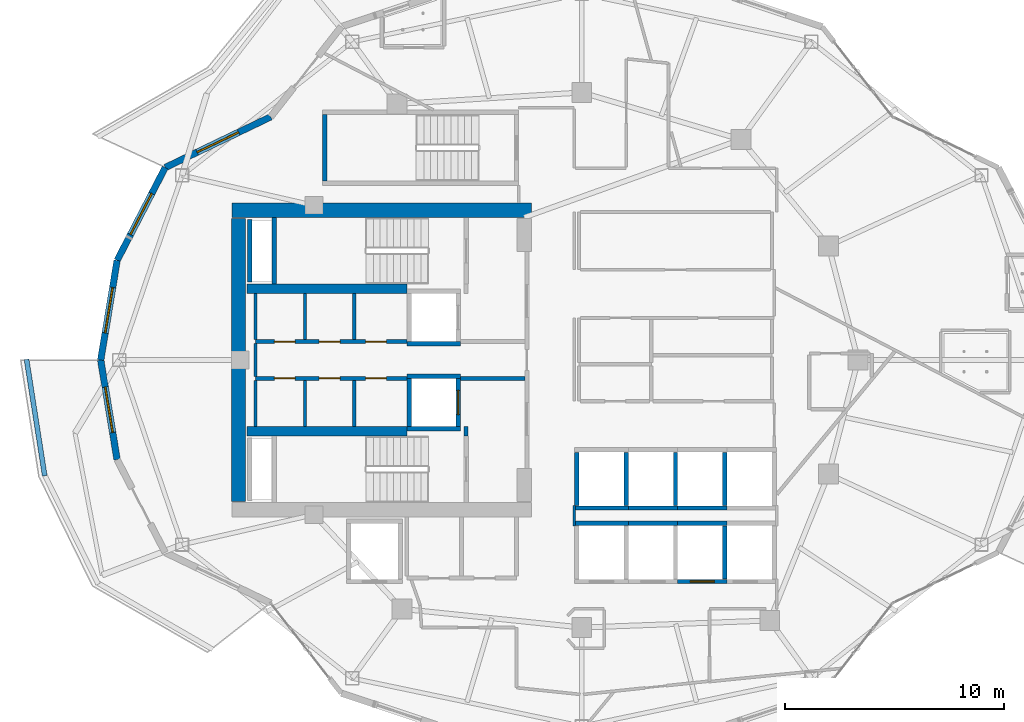
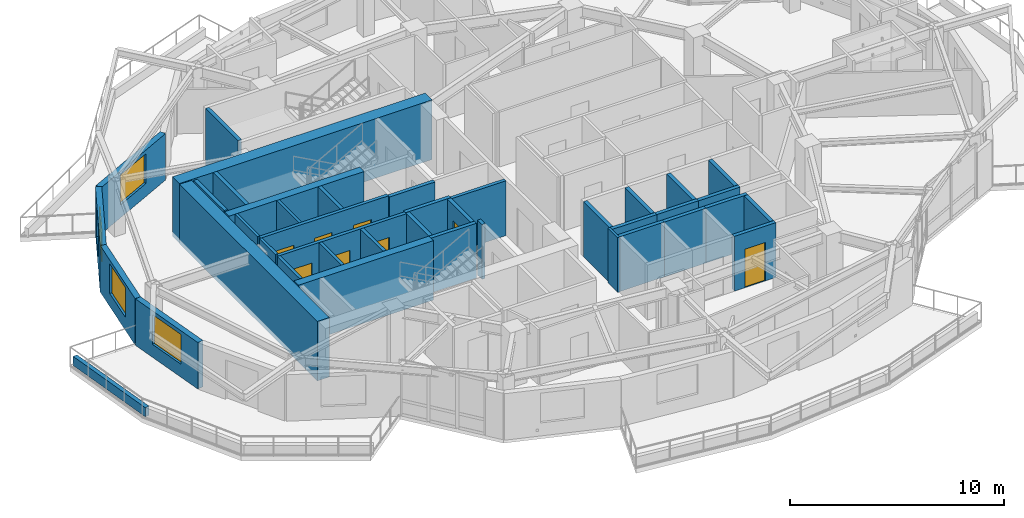
# One storey, part 9 of 19: 41 walls, 8 doors, 4 windows, 12 openings.
"""IFC4 building model written with IfcOpenShell, lengths in metres."""

from ifc_helpers import new_model, si_unit, direction, frame, frame_2d, origin, place, context, subcontext, project, spatial, rectangle, extrude, material, layer, layer_set, type_object, element, fill, save


model = new_model("IFC4")

# Units and contexts
model_context = context("Model", 3, precision=1e-05, world=origin(), true_north=direction((0.0, 1.0)))
body_context = subcontext(model_context, "Body", "Model", "MODEL_VIEW")
ifc_project = project(units=[si_unit("LENGTHUNIT", "METRE"), si_unit("AREAUNIT", "SQUARE_METRE"), si_unit("VOLUMEUNIT", "CUBIC_METRE"), si_unit("PLANEANGLEUNIT", "RADIAN"), si_unit("MASSUNIT", "GRAM", prefix="KILO")], contexts=[model_context])

# Site, building, storey
site_placement = place(None, origin())
site = spatial("IfcSite", under=ifc_project, at=site_placement, CompositionType="ELEMENT")
building_placement = place(site_placement, origin())
building = spatial("IfcBuilding", under=site, at=building_placement, Name="Kolvaren Gate Tower and Convention Centre", CompositionType="ELEMENT")
storey_placement = place(building_placement, frame((0.0, 0.0, 169.89990234375)))
storey = spatial("IfcBuildingStorey", under=building, at=storey_placement, Name="L44", CompositionType="ELEMENT", Elevation=169.89990234375)

# Wall
ifc_material_1 = material(Name="Autoclaved Aerated Masonry Blockwork Class 4 (4.0 MPa)", Category="masonry")
ifc_layer_1 = layer(ifc_material_1, 0.179931640625)
ifc_layer_set_1 = layer_set([ifc_layer_1], Name="Autoclaved Aerated Masonry Blockwork Class 4 (4.0 MPa)")
wall_type_1 = type_object("IfcWallType", Name="ARCH-WL-COMP-180", PredefinedType="SOLIDWALL", material=ifc_layer_set_1)
wall_1_placement = place(storey_placement, frame((24.85009765625, 23.5400390625, 0.0), z_axis=(0.0, 0.0, 1.0), x_axis=(0.0, 1.0, 0.0)))
element("IfcWall", 1, at=wall_1_placement, inside=storey, type_object=wall_type_1, Name="Interior Partition WL-L44-INT-001", PredefinedType="SOLIDWALL", context=body_context, shape_type="SweptSolid", body=[
    extrude(rectangle(XDim=0.419921875, YDim=0.179931640625, at=frame_2d((0.2099609375, 0.0))), origin(), (0.0, 0.0, 1.0), 3.130126953125),
])

# Wall, openings, doors
wall_2_placement = place(storey_placement, frame((15.25, 27.840087890625, 0.0), z_axis=(0.0, 0.0, 1.0), x_axis=(1.0, 0.0, 0.0)))
wall_2 = element("IfcWall", 2, at=wall_2_placement, inside=storey, type_object=wall_type_1, Name="Interior Partition WL-L44-INT-004", PredefinedType="SOLIDWALL", context=body_context, shape_type="SweptSolid", body=[
    extrude(rectangle(XDim=6.89990234375, YDim=0.179931640625, at=frame_2d((3.449951171875, 0.0))), origin(), (0.0, 0.0, 1.0), 3.130126953125),
])
opening_1_placement = place(wall_2_placement, frame((5.02001953125, 0.0, 0.0)))
opening_1 = element("IfcOpeningElement", 3, at=opening_1_placement, cuts=wall_2, Name="Opening DR-01", PredefinedType="OPENING", context=body_context, shape_type="SweptSolid", body=[
    extrude(rectangle(XDim=0.949951171875, YDim=2.10009765625, at=frame_2d((0.47509765625, 1.050048828125))), frame((0.0, 0.099853515625, 0.0), z_axis=(0.0, -1.0, 0.0), x_axis=(1.0, 0.0, 0.0)), (0.0, 0.0, 1.0), 0.199951171875),
])
opening_2_placement = place(wall_2_placement, frame((0.85498046875, 0.0, 0.0)))
opening_2 = element("IfcOpeningElement", 4, at=opening_2_placement, cuts=wall_2, Name="Opening DR-01", PredefinedType="OPENING", context=body_context, shape_type="SweptSolid", body=[
    extrude(rectangle(XDim=0.949951171875, YDim=2.10009765625, at=frame_2d((0.47509765625, 1.050048828125))), frame((0.0, 0.099853515625, 0.0), z_axis=(0.0, -1.0, 0.0), x_axis=(1.0, 0.0, 0.0)), (0.0, 0.0, 1.0), 0.199951171875),
])
opening_3_placement = place(wall_2_placement, frame((2.89990234375, 0.0, 0.0)))
opening_3 = element("IfcOpeningElement", 5, at=opening_3_placement, cuts=wall_2, Name="Opening DR-01", PredefinedType="OPENING", context=body_context, shape_type="SweptSolid", body=[
    extrude(rectangle(XDim=0.949951171875, YDim=2.10009765625, at=frame_2d((0.47509765625, 1.050048828125))), frame((0.0, 0.099853515625, 0.0), z_axis=(0.0, -1.0, 0.0), x_axis=(1.0, 0.0, 0.0)), (0.0, 0.0, 1.0), 0.199951171875),
])
ifc_material_2 = material(Name="Painted Architectural Steelwork ASTM A500 Grade C 345 MPa", Category="steel")
door_type_1 = type_object("IfcDoorType", Name="ARCH-DR-RISER-950", OperationType="SINGLE_SWING_RIGHT", PredefinedType="DOOR", material=ifc_material_2)
door_1_placement = place(opening_1_placement, origin())
door_1 = element("IfcDoor", 6, at=door_1_placement, inside=storey, type_object=door_type_1, Name="Electrical Switchgear Closet Door", OperationType="SINGLE_SWING_RIGHT", OverallHeight=2.10009765625, OverallWidth=0.949951171875, PredefinedType="DOOR", context=body_context, shape_type="SweptSolid", body=[
    extrude(rectangle(XDim=0.949951171875, YDim=2.10009765625, at=frame_2d((0.47509765625, 1.050048828125))), frame((0.0, 0.02490234375, 0.0), z_axis=(0.0, -1.0, 0.0), x_axis=(1.0, 0.0, 0.0)), (0.0, 0.0, 1.0), 0.050048828125),
])
fill(opening_1, door_1)
door_2_placement = place(opening_2_placement, origin())
door_2 = element("IfcDoor", 7, at=door_2_placement, inside=storey, type_object=door_type_1, Name="Staff Accessible WC Door", OperationType="SINGLE_SWING_RIGHT", OverallHeight=2.10009765625, OverallWidth=0.949951171875, PredefinedType="DOOR", context=body_context, shape_type="SweptSolid", body=[
    extrude(rectangle(XDim=0.949951171875, YDim=2.10009765625, at=frame_2d((0.47509765625, 1.050048828125))), frame((0.0, 0.02490234375, 0.0), z_axis=(0.0, -1.0, 0.0), x_axis=(1.0, 0.0, 0.0)), (0.0, 0.0, 1.0), 0.050048828125),
])
fill(opening_2, door_2)
door_3_placement = place(opening_3_placement, origin())
door_3 = element("IfcDoor", 8, at=door_3_placement, inside=storey, type_object=door_type_1, Name="Housekeeping Sink Closet Door", OperationType="SINGLE_SWING_LEFT", OverallHeight=2.10009765625, OverallWidth=0.949951171875, PredefinedType="DOOR", context=body_context, shape_type="SweptSolid", body=[
    extrude(rectangle(XDim=0.949951171875, YDim=2.10009765625, at=frame_2d((0.47509765625, 1.050048828125))), frame((0.0, 0.02490234375, 0.0), z_axis=(0.0, -1.0, 0.0), x_axis=(1.0, 0.0, 0.0)), (0.0, 0.0, 1.0), 0.050048828125),
])
fill(opening_3, door_3)

wall_3_placement = place(storey_placement, frame((15.25, 26.159912109375, 0.0), z_axis=(0.0, 0.0, 1.0), x_axis=(1.0, 0.0, 0.0)))
wall_3 = element("IfcWall", 9, at=wall_3_placement, inside=storey, type_object=wall_type_1, Name="Interior Partition WL-L44-INT-005", PredefinedType="SOLIDWALL", context=body_context, shape_type="SweptSolid", body=[
    extrude(rectangle(XDim=6.89990234375, YDim=0.179931640625, at=frame_2d((3.449951171875, 0.0))), origin(), (0.0, 0.0, 1.0), 3.130126953125),
])
opening_4_placement = place(wall_3_placement, frame((5.02001953125, 0.0, 0.0)))
opening_4 = element("IfcOpeningElement", 10, at=opening_4_placement, cuts=wall_3, Name="Opening DR-01", PredefinedType="OPENING", context=body_context, shape_type="SweptSolid", body=[
    extrude(rectangle(XDim=0.949951171875, YDim=2.10009765625, at=frame_2d((0.47509765625, 1.050048828125))), frame((0.0, 0.099853515625, 0.0), z_axis=(0.0, -1.0, 0.0), x_axis=(1.0, 0.0, 0.0)), (0.0, 0.0, 1.0), 0.199951171875),
])
opening_5_placement = place(wall_3_placement, frame((0.85498046875, 0.0, 0.0)))
opening_5 = element("IfcOpeningElement", 11, at=opening_5_placement, cuts=wall_3, Name="Opening DR-01", PredefinedType="OPENING", context=body_context, shape_type="SweptSolid", body=[
    extrude(rectangle(XDim=0.949951171875, YDim=2.10009765625, at=frame_2d((0.47509765625, 1.050048828125))), frame((0.0, 0.099853515625, 0.0), z_axis=(0.0, -1.0, 0.0), x_axis=(1.0, 0.0, 0.0)), (0.0, 0.0, 1.0), 0.199951171875),
])
opening_6_placement = place(wall_3_placement, frame((2.89990234375, 0.0, 0.0)))
opening_6 = element("IfcOpeningElement", 12, at=opening_6_placement, cuts=wall_3, Name="Opening DR-01", PredefinedType="OPENING", context=body_context, shape_type="SweptSolid", body=[
    extrude(rectangle(XDim=0.949951171875, YDim=2.10009765625, at=frame_2d((0.47509765625, 1.050048828125))), frame((0.0, 0.099853515625, 0.0), z_axis=(0.0, -1.0, 0.0), x_axis=(1.0, 0.0, 0.0)), (0.0, 0.0, 1.0), 0.199951171875),
])
door_4_placement = place(opening_4_placement, origin())
door_4 = element("IfcDoor", 13, at=door_4_placement, inside=storey, type_object=door_type_1, Name="Domestic Water Meter Closet Door", OperationType="SINGLE_SWING_LEFT", OverallHeight=2.10009765625, OverallWidth=0.949951171875, PredefinedType="DOOR", context=body_context, shape_type="SweptSolid", body=[
    extrude(rectangle(XDim=0.949951171875, YDim=2.10009765625, at=frame_2d((0.47509765625, 1.050048828125))), frame((0.0, 0.02490234375, 0.0), z_axis=(0.0, -1.0, 0.0), x_axis=(1.0, 0.0, 0.0)), (0.0, 0.0, 1.0), 0.050048828125),
])
fill(opening_4, door_4)
door_5_placement = place(opening_5_placement, origin())
door_5 = element("IfcDoor", 14, at=door_5_placement, inside=storey, type_object=door_type_1, Name="Beverage Service Pantry Door", OperationType="SINGLE_SWING_RIGHT", OverallHeight=2.10009765625, OverallWidth=0.949951171875, PredefinedType="DOOR", context=body_context, shape_type="SweptSolid", body=[
    extrude(rectangle(XDim=0.949951171875, YDim=2.10009765625, at=frame_2d((0.47509765625, 1.050048828125))), frame((0.0, 0.02490234375, 0.0), z_axis=(0.0, -1.0, 0.0), x_axis=(1.0, 0.0, 0.0)), (0.0, 0.0, 1.0), 0.050048828125),
])
fill(opening_5, door_5)
door_6_placement = place(opening_6_placement, origin())
door_6 = element("IfcDoor", 15, at=door_6_placement, inside=storey, type_object=door_type_1, Name="Archive Supply Closet Door", OperationType="SINGLE_SWING_LEFT", OverallHeight=2.10009765625, OverallWidth=0.949951171875, PredefinedType="DOOR", context=body_context, shape_type="SweptSolid", body=[
    extrude(rectangle(XDim=0.949951171875, YDim=2.10009765625, at=frame_2d((0.47509765625, 1.050048828125))), frame((0.0, 0.02490234375, 0.0), z_axis=(0.0, -1.0, 0.0), x_axis=(1.0, 0.0, 0.0)), (0.0, 0.0, 1.0), 0.050048828125),
])
fill(opening_6, door_6)

# Walls
wall_4_placement = place(storey_placement, frame((24.60009765625, 26.159912109375, 0.0), z_axis=(0.0, 0.0, 1.0), x_axis=(1.0, 0.0, 0.0)))
element("IfcWall", 16, at=wall_4_placement, inside=storey, type_object=wall_type_1, Name="Interior Partition WL-L44-INT-005 (2)", PredefinedType="SOLIDWALL", context=body_context, shape_type="SweptSolid", body=[
    extrude(rectangle(XDim=2.927978515625, YDim=0.179931640625, at=frame_2d((1.4638671875, 0.0))), origin(), (0.0, 0.0, 1.0), 3.130126953125),
])
for number, where, z_axis, x_axis, name in (
    (17, (19.75, 23.9619140625, 0.0), (0.0, 0.0, 1.0), (0.0, 1.0, 0.0), "Interior Partition WL-L44-INT-007"),
    (18, (19.75, 27.931884765625, 0.0), (0.0, 0.0, 1.0), (0.0, 1.0, 0.0), "Interior Partition WL-L44-INT-008"),
):
    element("IfcWall", number, at=place(storey_placement, frame(where, z_axis=z_axis, x_axis=x_axis)), inside=storey, type_object=wall_type_1, Name=name, PredefinedType="SOLIDWALL", context=body_context, shape_type="SweptSolid", body=[
        extrude(rectangle(XDim=2.106201171875, YDim=0.179931640625, at=frame_2d((1.05322265625, 0.0))), origin(), (0.0, 0.0, 1.0), 3.130126953125),
    ])
ifc_material_3 = material(Name="Fire-Rated Acoustic Gypsum Stud Partition", Category="gypsum")
ifc_layer_2 = layer(ifc_material_3, 0.1201171875)
ifc_layer_set_2 = layer_set([ifc_layer_2], Name="Fire-Rated Acoustic Gypsum Stud Partition")
wall_type_2 = type_object("IfcWallType", Name="ARCH-WL-PART-120", PredefinedType="PARTITIONING", material=ifc_layer_set_2)
wall_5_placement = place(storey_placement, frame((29.780029296875, 19.43994140625, 0.0), z_axis=(0.0, 0.0, 1.0), x_axis=(0.0, 1.0, 0.0)))
element("IfcWall", 19, at=wall_5_placement, inside=storey, type_object=wall_type_2, Name="Interior Partition WL-L44-INT-039", PredefinedType="PARTITIONING", context=body_context, shape_type="SweptSolid", body=[
    extrude(rectangle(XDim=0.920166015625, YDim=0.1201171875, at=frame_2d((0.4599609375, 0.0))), origin(), (0.0, 0.0, 1.0), 3.130126953125),
])
ifc_material_4 = material(Name="Piedmont Cream Honed Limestone Cladding", Category="masonry")
ifc_layer_3 = layer(ifc_material_4, 0.219970703125)
ifc_layer_set_3 = layer_set([ifc_layer_3], Name="Piedmont Cream Honed Limestone Cladding")
wall_type_3 = type_object("IfcWallType", Name="ARCH-WL-PLANTER-220", PredefinedType="PARAPET", material=ifc_layer_set_3)
wall_6_placement = place(storey_placement, frame((4.805908203125, 27.029296875, 0.0), z_axis=(0.0, 0.0, 1.0), x_axis=(0.154245214003, -0.988032597619, 0.0)))
element("IfcWall", 20, at=wall_6_placement, inside=storey, type_object=wall_type_3, Name="Vertical-Forest Balcony Stone Planter Kerb PK-L44-2.1", PredefinedType="PARAPET", context=body_context, shape_type="SweptSolid", body=[
    extrude(rectangle(XDim=5.37353515625, YDim=0.219970703125, at=frame_2d((2.686767578125, 0.0))), origin(), (0.0, 0.0, 1.0), 0.52001953125),
])
ifc_layer_4 = layer(ifc_material_1, 0.199951171875)
ifc_layer_set_4 = layer_set([ifc_layer_4], Name="Autoclaved Aerated Masonry Blockwork Class 4 (4.0 MPa)")
wall_type_4 = type_object("IfcWallType", Name="ARCH-WL-SHAFT-200", PredefinedType="SOLIDWALL", material=ifc_layer_set_4)
for number, where, z_axis, x_axis, name in (
    (21, (22.14990234375, 27.739990234375, 0.0), (0.0, 0.0, 1.0), (1.0, 0.0, 0.0), "Elevator FF-01 L44 Fire Shaft Wall S"),
    (22, (22.14990234375, 26.260009765625, 0.0), (0.0, 0.0, 1.0), (1.0, 0.0, 0.0), "Elevator FF-02 L44 Fire Shaft Wall N"),
    (23, (22.14990234375, 23.860107421875, 0.0), (0.0, 0.0, 1.0), (1.0, 0.0, 0.0), "Elevator FF-02 L44 Fire Shaft Wall S"),
):
    element("IfcWall", number, at=place(storey_placement, frame(where, z_axis=z_axis, x_axis=x_axis)), inside=storey, type_object=wall_type_4, Name=name, PredefinedType="SOLIDWALL", context=body_context, shape_type="SweptSolid", body=[
        extrude(rectangle(XDim=2.4501953125, YDim=0.199951171875, at=frame_2d((1.22509765625, 0.0))), origin(), (0.0, 0.0, 1.0), 3.130126953125),
    ])
wall_7_placement = place(storey_placement, frame((22.25, 23.969970703125, 0.0), z_axis=(0.0, 0.0, 1.0), x_axis=(0.0, 1.0, 0.0)))
element("IfcWall", 24, at=wall_7_placement, inside=storey, type_object=wall_type_4, Name="Elevator FF-02 L44 Fire Shaft Wall W", PredefinedType="SOLIDWALL", context=body_context, shape_type="SweptSolid", body=[
    extrude(rectangle(XDim=2.179931640625, YDim=0.199951171875, at=frame_2d((1.08984375, 0.0))), origin(), (0.0, 0.0, 1.0), 3.130126953125),
])

# Wall, opening, door
wall_8_placement = place(storey_placement, frame((24.5, 23.969970703125, 0.0), z_axis=(0.0, 0.0, 1.0), x_axis=(0.0, 1.0, 0.0)))
wall_8 = element("IfcWall", 25, at=wall_8_placement, inside=storey, type_object=wall_type_4, Name="Elevator FF-02 L44 Fire Shaft Wall E", PredefinedType="SOLIDWALL", context=body_context, shape_type="SweptSolid", body=[
    extrude(rectangle(XDim=2.179931640625, YDim=0.199951171875, at=frame_2d((1.08984375, 0.0))), origin(), (0.0, 0.0, 1.0), 3.130126953125),
])
opening_7_placement = place(wall_8_placement, frame((0.5400390625, 0.0, 0.0)))
opening_7 = element("IfcOpeningElement", 26, at=opening_7_placement, cuts=wall_8, Name="Opening LD", PredefinedType="OPENING", context=body_context, shape_type="SweptSolid", body=[
    extrude(rectangle(XDim=1.10009765625, YDim=2.199951171875, at=frame_2d((0.550048828125, 1.10009765625))), frame((0.0, 0.10986328125, 0.0), z_axis=(0.0, -1.0, 0.0), x_axis=(1.0, 0.0, 0.0)), (0.0, 0.0, 1.0), 0.219970703125),
])
ifc_material_5 = material(Name="Brushed Stainless Steel Grade 316L", Category="steel")
door_type_2 = type_object("IfcDoorType", Name="ARCH-DR-LIFT-1100", OperationType="SLIDING_TO_LEFT", PredefinedType="DOOR", material=ifc_material_5)
door_7_placement = place(opening_7_placement, origin())
door_7 = element("IfcDoor", 27, at=door_7_placement, inside=storey, type_object=door_type_2, Name="Elevator FF-02 L44 Sliding Landing Door", OperationType="SLIDING_TO_LEFT", OverallHeight=2.199951171875, OverallWidth=1.10009765625, PredefinedType="DOOR", context=body_context, shape_type="SweptSolid", body=[
    extrude(rectangle(XDim=1.10009765625, YDim=2.199951171875, at=frame_2d((0.550048828125, 1.10009765625))), frame((0.0, 0.02490234375, 0.0), z_axis=(0.0, -1.0, 0.0), x_axis=(1.0, 0.0, 0.0)), (0.0, 0.0, 1.0), 0.050048828125),
])
fill(opening_7, door_7)

# Walls
wall_9_placement = place(storey_placement, frame((29.800048828125, 19.550048828125, 0.0), z_axis=(0.0, 0.0, 1.0), x_axis=(1.0, 0.0, 0.0)))
element("IfcWall", 28, at=wall_9_placement, inside=storey, type_object=wall_type_4, Name="Elevator PL-05 L44 Fire Shaft Wall N", PredefinedType="SOLIDWALL", context=body_context, shape_type="SweptSolid", body=[
    extrude(rectangle(XDim=2.449951171875, YDim=0.199951171875, at=frame_2d((1.22509765625, 0.0))), origin(), (0.0, 0.0, 1.0), 3.130126953125),
])
for number, where, z_axis, x_axis, name in (
    (29, (32.25, 19.550048828125, 0.0), (0.0, 0.0, 1.0), (1.0, 0.0, 0.0), "Elevator PL-06 L44 Fire Shaft Wall N"),
    (30, (34.5, 19.550048828125, 0.0), (0.0, 0.0, 1.0), (1.0, 0.0, 0.0), "Elevator PL-07 L44 Fire Shaft Wall N"),
):
    element("IfcWall", number, at=place(storey_placement, frame(where, z_axis=z_axis, x_axis=x_axis)), inside=storey, type_object=wall_type_4, Name=name, PredefinedType="SOLIDWALL", context=body_context, shape_type="SweptSolid", body=[
        extrude(rectangle(XDim=2.25, YDim=0.199951171875, at=frame_2d((1.125, 0.0))), origin(), (0.0, 0.0, 1.0), 3.130126953125),
    ])

# Wall, opening, door
wall_10_placement = place(storey_placement, frame((34.5, 16.89990234375, 0.0), z_axis=(0.0, 0.0, 1.0), x_axis=(1.0, 0.0, 0.0)))
wall_10 = element("IfcWall", 31, at=wall_10_placement, inside=storey, type_object=wall_type_4, Name="Elevator PL-07 L44 Fire Shaft Wall S", PredefinedType="SOLIDWALL", context=body_context, shape_type="SweptSolid", body=[
    extrude(rectangle(XDim=2.25, YDim=0.199951171875, at=frame_2d((1.125, 0.0))), origin(), (0.0, 0.0, 1.0), 3.130126953125),
])
opening_8_placement = place(wall_10_placement, frame((0.574951171875, 0.0, 0.0)))
opening_8 = element("IfcOpeningElement", 32, at=opening_8_placement, cuts=wall_10, Name="Opening LD", PredefinedType="OPENING", context=body_context, shape_type="SweptSolid", body=[
    extrude(rectangle(XDim=1.10009765625, YDim=2.199951171875, at=frame_2d((0.550048828125, 1.10009765625))), frame((0.0, 0.10986328125, 0.0), z_axis=(0.0, -1.0, 0.0), x_axis=(1.0, 0.0, 0.0)), (0.0, 0.0, 1.0), 0.219970703125),
])
door_8_placement = place(opening_8_placement, origin())
door_8 = element("IfcDoor", 33, at=door_8_placement, inside=storey, type_object=door_type_2, Name="Elevator PL-07 L44 Sliding Landing Door", OperationType="SLIDING_TO_LEFT", OverallHeight=2.199951171875, OverallWidth=1.10009765625, PredefinedType="DOOR", context=body_context, shape_type="SweptSolid", body=[
    extrude(rectangle(XDim=1.10009765625, YDim=2.199951171875, at=frame_2d((0.550048828125, 1.10009765625))), frame((0.0, 0.02490234375, 0.0), z_axis=(0.0, -1.0, 0.0), x_axis=(1.0, 0.0, 0.0)), (0.0, 0.0, 1.0), 0.050048828125),
])
fill(opening_8, door_8)

# Walls
wall_11_placement = place(storey_placement, frame((36.64990234375, 17.010009765625, 0.0), z_axis=(0.0, 0.0, 1.0), x_axis=(0.0, 1.0, 0.0)))
element("IfcWall", 34, at=wall_11_placement, inside=storey, type_object=wall_type_4, Name="Elevator PL-07 L44 Fire Shaft Wall E", PredefinedType="SOLIDWALL", context=body_context, shape_type="SweptSolid", body=[
    extrude(rectangle(XDim=2.429931640625, YDim=0.199951171875, at=frame_2d((1.21484375, 0.0))), origin(), (0.0, 0.0, 1.0), 3.130126953125),
])
wall_12_placement = place(storey_placement, frame((29.800048828125, 20.25, 0.0), z_axis=(0.0, 0.0, 1.0), x_axis=(1.0, 0.0, 0.0)))
element("IfcWall", 35, at=wall_12_placement, inside=storey, type_object=wall_type_4, Name="Elevator PL-09 L44 Fire Shaft Wall S", PredefinedType="SOLIDWALL", context=body_context, shape_type="SweptSolid", body=[
    extrude(rectangle(XDim=2.449951171875, YDim=0.199951171875, at=frame_2d((1.22509765625, 0.0))), origin(), (0.0, 0.0, 1.0), 3.130126953125),
])
for number, where, z_axis, x_axis, name in (
    (36, (29.89990234375, 20.360107421875, 0.0), (0.0, 0.0, 1.0), (0.0, 1.0, 0.0), "Elevator PL-09 L44 Fire Shaft Wall W"),
    (37, (32.14990234375, 20.360107421875, 0.0), (0.0, 0.0, 1.0), (0.0, 1.0, 0.0), "Elevator PL-09 L44 Fire Shaft Wall E"),
):
    element("IfcWall", number, at=place(storey_placement, frame(where, z_axis=z_axis, x_axis=x_axis)), inside=storey, type_object=wall_type_4, Name=name, PredefinedType="SOLIDWALL", context=body_context, shape_type="SweptSolid", body=[
        extrude(rectangle(XDim=2.429931640625, YDim=0.199951171875, at=frame_2d((1.21484375, 0.0))), origin(), (0.0, 0.0, 1.0), 3.130126953125),
    ])
wall_13_placement = place(storey_placement, frame((32.25, 20.25, 0.0), z_axis=(0.0, 0.0, 1.0), x_axis=(1.0, 0.0, 0.0)))
element("IfcWall", 38, at=wall_13_placement, inside=storey, type_object=wall_type_4, Name="Elevator PL-10 L44 Fire Shaft Wall S", PredefinedType="SOLIDWALL", context=body_context, shape_type="SweptSolid", body=[
    extrude(rectangle(XDim=2.25, YDim=0.199951171875, at=frame_2d((1.125, 0.0))), origin(), (0.0, 0.0, 1.0), 3.130126953125),
])
wall_14_placement = place(storey_placement, frame((34.39990234375, 20.360107421875, 0.0), z_axis=(0.0, 0.0, 1.0), x_axis=(0.0, 1.0, 0.0)))
element("IfcWall", 39, at=wall_14_placement, inside=storey, type_object=wall_type_4, Name="Elevator PL-10 L44 Fire Shaft Wall E", PredefinedType="SOLIDWALL", context=body_context, shape_type="SweptSolid", body=[
    extrude(rectangle(XDim=2.429931640625, YDim=0.199951171875, at=frame_2d((1.21484375, 0.0))), origin(), (0.0, 0.0, 1.0), 3.130126953125),
])
wall_15_placement = place(storey_placement, frame((34.5, 20.25, 0.0), z_axis=(0.0, 0.0, 1.0), x_axis=(1.0, 0.0, 0.0)))
element("IfcWall", 40, at=wall_15_placement, inside=storey, type_object=wall_type_4, Name="Elevator PL-11 L44 Fire Shaft Wall S", PredefinedType="SOLIDWALL", context=body_context, shape_type="SweptSolid", body=[
    extrude(rectangle(XDim=2.25, YDim=0.199951171875, at=frame_2d((1.125, 0.0))), origin(), (0.0, 0.0, 1.0), 3.130126953125),
])
wall_16_placement = place(storey_placement, frame((36.64990234375, 20.360107421875, 0.0), z_axis=(0.0, 0.0, 1.0), x_axis=(0.0, 1.0, 0.0)))
element("IfcWall", 41, at=wall_16_placement, inside=storey, type_object=wall_type_4, Name="Elevator PL-11 L44 Fire Shaft Wall E", PredefinedType="SOLIDWALL", context=body_context, shape_type="SweptSolid", body=[
    extrude(rectangle(XDim=2.429931640625, YDim=0.199951171875, at=frame_2d((1.21484375, 0.0))), origin(), (0.0, 0.0, 1.0), 3.130126953125),
])
wall_17_placement = place(storey_placement, frame((14.989990234375, 30.550048828125, 0.0), z_axis=(0.0, 0.0, 1.0), x_axis=(0.0, 1.0, 0.0)))
element("IfcWall", 42, at=wall_17_placement, inside=storey, type_object=wall_type_4, Name="Vertical Shaft HVR L44 EI-120 Enclosure Wall W", PredefinedType="SOLIDWALL", context=body_context, shape_type="SweptSolid", body=[
    extrude(rectangle(XDim=2.849853515625, YDim=0.199951171875, at=frame_2d((1.4248046875, 0.0))), origin(), (0.0, 0.0, 1.0), 3.130126953125),
])

# Wall, opening, window
ifc_layer_5 = layer(ifc_material_4, 0.300048828125)
ifc_layer_set_5 = layer_set([ifc_layer_5], Name="Piedmont Cream Honed Limestone Cladding")
wall_type_5 = type_object("IfcWallType", Name="ARCH-WL-STONE-300", PredefinedType="SOLIDWALL", material=ifc_layer_set_5)
wall_18_placement = place(storey_placement, frame((11.126708984375, 35.77490234375, 0.0), z_axis=(0.0, 0.0, 1.0), x_axis=(0.901353070301, 0.433085029363, 0.0)))
wall_18 = element("IfcWall", 43, at=wall_18_placement, inside=storey, type_object=wall_type_5, Name="Tower L44 Honed Stone Spandrel Wall EW-09", PredefinedType="SOLIDWALL", context=body_context, shape_type="SweptSolid", body=[
    extrude(rectangle(XDim=5.336181640625, YDim=0.300048828125, at=frame_2d((2.66796875, 0.0))), origin(), (0.0, 0.0, 1.0), 2.653076171875),
])
opening_9_placement = place(wall_18_placement, frame((1.617919921875, 0.0, 0.739990234375)))
opening_9 = element("IfcOpeningElement", 44, at=opening_9_placement, cuts=wall_18, Name="Opening W-02", PredefinedType="OPENING", context=body_context, shape_type="SweptSolid", body=[
    extrude(rectangle(XDim=2.10009765625, YDim=1.699951171875, at=frame_2d((1.050048828125, 0.85009765625))), frame((0.0, 0.159912109375, 0.0), z_axis=(0.0, -1.0, 0.0), x_axis=(1.0, 0.0, 0.0)), (0.0, 0.0, 1.0), 0.320068359375),
])
ifc_material_6 = material(Name="Low-E Triple Insulated Glazing Unit 44 mm", Category="glass")
window_type = type_object("IfcWindowType", Name="ARCH-WN-HTL-2100", PartitioningType="SINGLE_PANEL", PredefinedType="WINDOW", material=ifc_material_6)
window_1_placement = place(opening_9_placement, origin())
window_1 = element("IfcWindow", 45, at=window_1_placement, inside=storey, type_object=window_type, Name="Tower L44 Punched Stone Facade Window W-09", OverallHeight=1.699951171875, OverallWidth=2.10009765625, PartitioningType="SINGLE_PANEL", PredefinedType="WINDOW", context=body_context, shape_type="SweptSolid", body=[
    extrude(rectangle(XDim=2.10009765625, YDim=1.699951171875, at=frame_2d((1.050048828125, 0.85009765625))), frame((0.0, 0.030029296875, 0.0), z_axis=(0.0, -1.0, 0.0), x_axis=(1.0, 0.0, 0.0)), (0.0, 0.0, 1.0), 0.06005859375),
])
fill(opening_9, window_1)

wall_19_placement = place(storey_placement, frame((8.93505859375, 31.542236328125, 0.0), z_axis=(0.0, 0.0, 1.0), x_axis=(0.459810251451, 0.888017191647, 0.0)))
wall_19 = element("IfcWall", 46, at=wall_19_placement, inside=storey, type_object=wall_type_5, Name="Tower L44 Honed Stone Spandrel Wall EW-10", PredefinedType="SOLIDWALL", context=body_context, shape_type="SweptSolid", body=[
    extrude(rectangle(XDim=4.766357421875, YDim=0.300048828125, at=frame_2d((2.38330078125, 0.0))), origin(), (0.0, 0.0, 1.0), 2.653076171875),
])
opening_10_placement = place(wall_19_placement, frame((1.3330078125, 0.0, 0.739990234375)))
opening_10 = element("IfcOpeningElement", 47, at=opening_10_placement, cuts=wall_19, Name="Opening W-02", PredefinedType="OPENING", context=body_context, shape_type="SweptSolid", body=[
    extrude(rectangle(XDim=2.10009765625, YDim=1.699951171875, at=frame_2d((1.050048828125, 0.85009765625))), frame((0.0, 0.159912109375, 0.0), z_axis=(0.0, -1.0, 0.0), x_axis=(1.0, 0.0, 0.0)), (0.0, 0.0, 1.0), 0.320068359375),
])
window_2_placement = place(opening_10_placement, origin())
window_2 = element("IfcWindow", 48, at=window_2_placement, inside=storey, type_object=window_type, Name="Tower L44 Punched Stone Facade Window W-10", OverallHeight=1.699951171875, OverallWidth=2.10009765625, PartitioningType="SINGLE_PANEL", PredefinedType="WINDOW", context=body_context, shape_type="SweptSolid", body=[
    extrude(rectangle(XDim=2.10009765625, YDim=1.699951171875, at=frame_2d((1.050048828125, 0.85009765625))), frame((0.0, 0.030029296875, 0.0), z_axis=(0.0, -1.0, 0.0), x_axis=(1.0, 0.0, 0.0)), (0.0, 0.0, 1.0), 0.06005859375),
])
fill(opening_10, window_2)

wall_20_placement = place(storey_placement, frame((8.1875, 27.0, 0.0), z_axis=(0.0, 0.0, 1.0), x_axis=(0.162394765401, 0.986725868806, 0.0)))
wall_20 = element("IfcWall", 49, at=wall_20_placement, inside=storey, type_object=wall_type_5, Name="Tower L44 Honed Stone Spandrel Wall EW-11", PredefinedType="SOLIDWALL", context=body_context, shape_type="SweptSolid", body=[
    extrude(rectangle(XDim=4.603271484375, YDim=0.300048828125, at=frame_2d((2.3017578125, 0.0))), origin(), (0.0, 0.0, 1.0), 2.653076171875),
])
opening_11_placement = place(wall_20_placement, frame((1.251953125, 0.0, 0.739990234375)))
opening_11 = element("IfcOpeningElement", 50, at=opening_11_placement, cuts=wall_20, Name="Opening W-02", PredefinedType="OPENING", context=body_context, shape_type="SweptSolid", body=[
    extrude(rectangle(XDim=2.10009765625, YDim=1.699951171875, at=frame_2d((1.050048828125, 0.85009765625))), frame((0.0, 0.159912109375, 0.0), z_axis=(0.0, -1.0, 0.0), x_axis=(1.0, 0.0, 0.0)), (0.0, 0.0, 1.0), 0.320068359375),
])
window_3_placement = place(opening_11_placement, origin())
window_3 = element("IfcWindow", 51, at=window_3_placement, inside=storey, type_object=window_type, Name="Tower L44 Punched Stone Facade Window W-11", OverallHeight=1.699951171875, OverallWidth=2.10009765625, PartitioningType="SINGLE_PANEL", PredefinedType="WINDOW", context=body_context, shape_type="SweptSolid", body=[
    extrude(rectangle(XDim=2.10009765625, YDim=1.699951171875, at=frame_2d((1.050048828125, 0.85009765625))), frame((0.0, 0.030029296875, 0.0), z_axis=(0.0, -1.0, 0.0), x_axis=(1.0, 0.0, 0.0)), (0.0, 0.0, 1.0), 0.06005859375),
])
fill(opening_11, window_3)

wall_21_placement = place(storey_placement, frame((8.1875, 27.0, 0.0), z_axis=(0.0, 0.0, 1.0), x_axis=(0.162394765401, -0.986725868806, 0.0)))
wall_21 = element("IfcWall", 52, at=wall_21_placement, inside=storey, type_object=wall_type_5, Name="Tower L44 Honed Stone Spandrel Wall EW-12", PredefinedType="SOLIDWALL", context=body_context, shape_type="SweptSolid", body=[
    extrude(rectangle(XDim=4.603271484375, YDim=0.300048828125, at=frame_2d((2.3017578125, 0.0))), origin(), (0.0, 0.0, 1.0), 2.653076171875),
])
opening_12_placement = place(wall_21_placement, frame((1.251953125, 0.0, 0.739990234375)))
opening_12 = element("IfcOpeningElement", 53, at=opening_12_placement, cuts=wall_21, Name="Opening W-02", PredefinedType="OPENING", context=body_context, shape_type="SweptSolid", body=[
    extrude(rectangle(XDim=2.10009765625, YDim=1.699951171875, at=frame_2d((1.050048828125, 0.85009765625))), frame((0.0, 0.159912109375, 0.0), z_axis=(0.0, -1.0, 0.0), x_axis=(1.0, 0.0, 0.0)), (0.0, 0.0, 1.0), 0.320068359375),
])
window_4_placement = place(opening_12_placement, origin())
window_4 = element("IfcWindow", 54, at=window_4_placement, inside=storey, type_object=window_type, Name="Tower L44 Punched Stone Facade Window W-12", OverallHeight=1.699951171875, OverallWidth=2.10009765625, PartitioningType="SINGLE_PANEL", PredefinedType="WINDOW", context=body_context, shape_type="SweptSolid", body=[
    extrude(rectangle(XDim=2.10009765625, YDim=1.699951171875, at=frame_2d((1.050048828125, 0.85009765625))), frame((0.0, 0.030029296875, 0.0), z_axis=(0.0, -1.0, 0.0), x_axis=(1.0, 0.0, 0.0)), (0.0, 0.0, 1.0), 0.06005859375),
])
fill(opening_12, window_4)

# Walls
ifc_material_7 = material(Name="Moisture-Resistant Cement-Board Acoustic Partition", Category="gypsum")
ifc_layer_6 = layer(ifc_material_7, 0.14990234375)
ifc_layer_set_6 = layer_set([ifc_layer_6], Name="Moisture-Resistant Cement-Board Acoustic Partition")
wall_type_6 = type_object("IfcWallType", Name="ARCH-WL-WET-150", PredefinedType="PARTITIONING", material=ifc_layer_set_6)
wall_22_placement = place(storey_placement, frame((15.25, 23.9619140625, 0.0), z_axis=(0.0, 0.0, 1.0), x_axis=(0.0, 1.0, 0.0)))
element("IfcWall", 55, at=wall_22_placement, inside=storey, type_object=wall_type_6, Name="Interior Partition WL-L44-INT-006", PredefinedType="PARTITIONING", context=body_context, shape_type="SweptSolid", body=[
    extrude(rectangle(XDim=2.106201171875, YDim=0.14990234375, at=frame_2d((1.05322265625, 0.0))), origin(), (0.0, 0.0, 1.0), 3.130126953125),
])
wall_23_placement = place(storey_placement, frame((15.25, 26.251953125, 0.0), z_axis=(0.0, 0.0, 1.0), x_axis=(0.0, 1.0, 0.0)))
element("IfcWall", 56, at=wall_23_placement, inside=storey, type_object=wall_type_6, Name="Interior Partition WL-L44-INT-006 (2)", PredefinedType="PARTITIONING", context=body_context, shape_type="SweptSolid", body=[
    extrude(rectangle(XDim=1.49609375, YDim=0.14990234375, at=frame_2d((0.748046875, 0.0))), origin(), (0.0, 0.0, 1.0), 3.130126953125),
])
for number, where, z_axis, x_axis, name in (
    (57, (15.25, 27.931884765625, 0.0), (0.0, 0.0, 1.0), (0.0, 1.0, 0.0), "Interior Partition WL-L44-INT-006 (3)"),
    (58, (17.5, 23.9619140625, 0.0), (0.0, 0.0, 1.0), (0.0, 1.0, 0.0), "Interior Partition WL-L44-INT-009"),
    (59, (17.5, 27.931884765625, 0.0), (0.0, 0.0, 1.0), (0.0, 1.0, 0.0), "Interior Partition WL-L44-INT-010"),
):
    element("IfcWall", number, at=place(storey_placement, frame(where, z_axis=z_axis, x_axis=x_axis)), inside=storey, type_object=wall_type_6, Name=name, PredefinedType="PARTITIONING", context=body_context, shape_type="SweptSolid", body=[
        extrude(rectangle(XDim=2.106201171875, YDim=0.14990234375, at=frame_2d((1.05322265625, 0.0))), origin(), (0.0, 0.0, 1.0), 3.130126953125),
    ])
ifc_material_8 = material(Name="Concrete C50/60", Category="concrete")
ifc_layer_7 = layer(ifc_material_8, 0.419921875)
ifc_layer_set_7 = layer_set([ifc_layer_7], Name="Concrete C50/60")
wall_type_7 = type_object("IfcWallType", Name="STR-WL-CONV-420", PredefinedType="SHEAR", material=ifc_layer_set_7)
for number, where, z_axis, x_axis, name in (
    (60, (14.85009765625, 30.25, -0.27001953125), (0.0, 0.0, 1.0), (1.0, 0.0, 0.0), "Tower L44 Offset Core Shear Wall WN"),
    (61, (14.85009765625, 23.75, -0.27001953125), (0.0, 0.0, 1.0), (1.0, 0.0, 0.0), "Tower L44 Offset Core Shear Wall WS"),
):
    element("IfcWall", number, at=place(storey_placement, frame(where, z_axis=z_axis, x_axis=x_axis)), inside=storey, type_object=wall_type_7, Name=name, PredefinedType="SHEAR", context=body_context, shape_type="SweptSolid", body=[
        extrude(rectangle(XDim=7.2998046875, YDim=0.419921875, at=frame_2d((3.64990234375, 0.0))), origin(), (0.0, 0.0, 1.0), 3.400146484375),
    ])
ifc_material_9 = material(Name="Concrete C60/75", Category="concrete")
ifc_layer_8 = layer(ifc_material_9, 0.64990234375)
ifc_layer_set_8 = layer_set([ifc_layer_8], Name="Concrete C60/75")
wall_type_8 = type_object("IfcWallType", Name="STR-WL-CORE-650", PredefinedType="SHEAR", material=ifc_layer_set_8)
wall_24_placement = place(storey_placement, frame((14.175048828125, 33.824951171875, -0.27001953125), z_axis=(0.0, 0.0, 1.0), x_axis=(1.0, 0.0, 0.0)))
element("IfcWall", 62, at=wall_24_placement, inside=storey, type_object=wall_type_8, Name="Tower L44 Offset Core Shear Wall N", PredefinedType="SHEAR", context=body_context, shape_type="SweptSolid", body=[
    extrude(rectangle(XDim=13.64990234375, YDim=0.64990234375, at=frame_2d((6.824951171875, 0.0))), origin(), (0.0, 0.0, 1.0), 3.400146484375),
])
wall_25_placement = place(storey_placement, frame((14.47509765625, 20.550048828125, -0.27001953125), z_axis=(0.0, 0.0, 1.0), x_axis=(0.0, 1.0, 0.0)))
element("IfcWall", 63, at=wall_25_placement, inside=storey, type_object=wall_type_8, Name="Tower L44 Offset Core Shear Wall W", PredefinedType="SHEAR", context=body_context, shape_type="SweptSolid", body=[
    extrude(rectangle(XDim=12.89990234375, YDim=0.64990234375, at=frame_2d((6.449951171875, 0.0))), origin(), (0.0, 0.0, 1.0), 3.400146484375),
])
ifc_layer_9 = layer(ifc_material_8, 0.199951171875)
ifc_layer_set_9 = layer_set([ifc_layer_9], Name="Concrete C50/60")
wall_type_9 = type_object("IfcWallType", Name="STR-WL-SHAFT-200", PredefinedType="SHEAR", material=ifc_layer_set_9)
wall_26_placement = place(storey_placement, frame((16.10009765625, 30.4619140625, -0.27001953125), z_axis=(0.0, 0.0, 1.0), x_axis=(0.0, 1.0, 0.0)))
element("IfcWall", 64, at=wall_26_placement, inside=storey, type_object=wall_type_9, Name="Tower North Exit Stair ST-T1 L44 Structural Shear Enclosure Wall FAR", PredefinedType="SHEAR", context=body_context, shape_type="SweptSolid", body=[
    extrude(rectangle(XDim=3.0361328125, YDim=0.199951171875, at=frame_2d((1.51806640625, 0.0))), origin(), (0.0, 0.0, 1.0), 3.400146484375),
])
wall_27_placement = place(storey_placement, frame((18.39990234375, 35.159912109375, -0.27001953125), z_axis=(0.0, 0.0, 1.0), x_axis=(0.0, 1.0, 0.0)))
element("IfcWall", 65, at=wall_27_placement, inside=storey, type_object=wall_type_9, Name="Tower Mid-Zone Exit Stair ST-T3 L44 Structural Shear Enclosure Wall FAR", PredefinedType="SHEAR", context=body_context, shape_type="SweptSolid", body=[
    extrude(rectangle(XDim=3.0400390625, YDim=0.199951171875, at=frame_2d((1.52001953125, 0.0))), origin(), (0.0, 0.0, 1.0), 3.400146484375),
])

save(model, "model.ifc")
